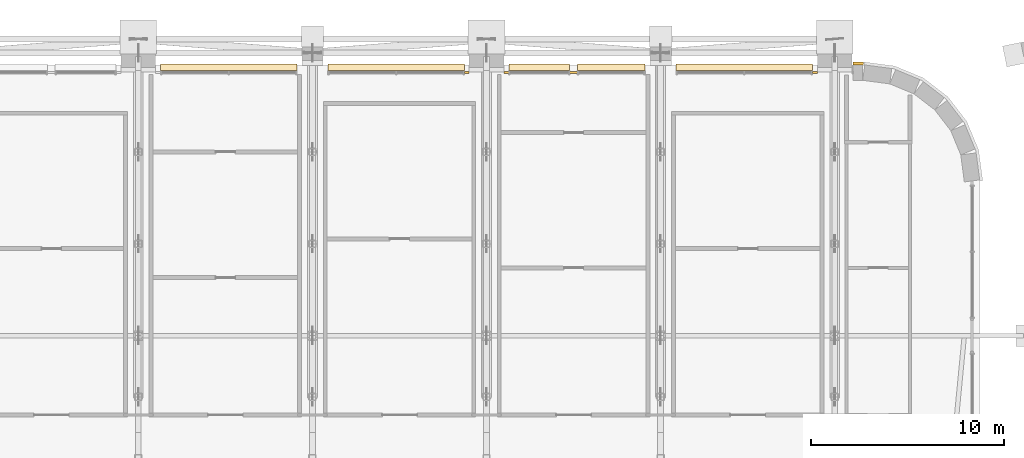
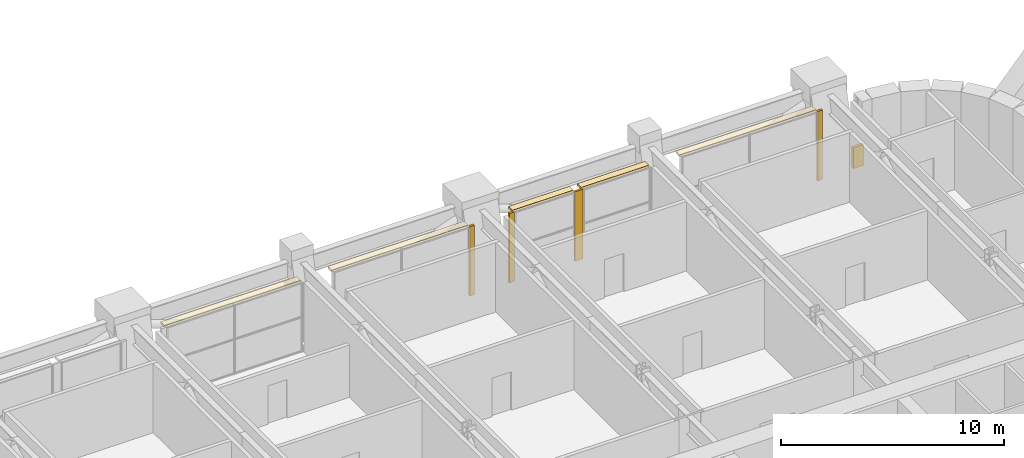
# One storey, part 24 of 27: 10 coverings.
"""IFC4 building model written with IfcOpenShell, lengths in metres."""

from ifc_helpers import new_model, si_unit, direction, frame, origin, origin_2d, place, context, subcontext, project, spatial, polyline, rectangle, outline, extrude, material, layer, layer_set, type_object, element, save


model = new_model("IFC4")

# Units and contexts
model_context = context("Model", 3, precision=1e-05, world=origin(), true_north=direction((0.0, 1.0)))
body_context = subcontext(model_context, "Body", "Model", "MODEL_VIEW")
ifc_project = project(units=[si_unit("LENGTHUNIT", "METRE"), si_unit("AREAUNIT", "SQUARE_METRE"), si_unit("VOLUMEUNIT", "CUBIC_METRE"), si_unit("PLANEANGLEUNIT", "RADIAN"), si_unit("MASSUNIT", "GRAM", prefix="KILO")], contexts=[model_context])

# Site, building, storey
site_placement = place(None, origin())
site = spatial("IfcSite", under=ifc_project, at=site_placement, CompositionType="ELEMENT")
building_placement = place(site_placement, origin())
building = spatial("IfcBuilding", under=site, at=building_placement, Name="Zellij Exchange Tower", CompositionType="ELEMENT")
storey_placement = place(building_placement, frame((0.0, 0.0, 104.5)))
storey = spatial("IfcBuildingStorey", under=building, at=storey_placement, Name="L22", CompositionType="ELEMENT", Elevation=104.5)

# Coverings
ifc_material_1 = material(Name="Limestone cladding", Category="masonry")
ifc_layer_1 = layer(ifc_material_1, 0.14990234375)
ifc_layer_set_1 = layer_set([ifc_layer_1], Name="Limestone cladding")
covering_type_1 = type_object("IfcCoveringType", Name="ENV-CV1 Stone spandrel band 150", PredefinedType="CLADDING", material=ifc_layer_set_1)
covering_1_placement = place(storey_placement, frame((0.0, 0.0, -0.35009765625)))
element("IfcCovering", 1, at=covering_1_placement, inside=storey, type_object=covering_type_1, Name="Stone spandrel band", PredefinedType="CLADDING", context=body_context, shape_type="SweptSolid", body=[
    extrude(outline(polyline([(28.473876953125, 18.5), (27.949951171875, 18.5), (27.949951171875, 18.64990234375), (28.483642578125, 18.64990234375), (28.473876953125, 18.5)])), origin(), (0.0, 0.0, 1.0), 1.150146484375),
])
ifc_layer_2 = layer(ifc_material_1, 0.1201171875)
ifc_layer_set_2 = layer_set([ifc_layer_2], Name="Limestone cladding")
covering_type_2 = type_object("IfcCoveringType", Name="ENV-CV18 Glazing closer 120", PredefinedType="CLADDING", material=ifc_layer_set_2)
covering_2_placement = place(storey_placement, frame((13.5, 18.10009765625, 0.0), z_axis=(0.0, 0.0, 1.0), x_axis=(-1.0, 0.0, 0.0)))
element("IfcCovering", 2, at=covering_2_placement, inside=storey, type_object=covering_type_2, Name="Glazing closer", PredefinedType="CLADDING", context=body_context, shape_type="SweptSolid", body=[
    extrude(rectangle(XDim=0.39990234375, YDim=0.1201171875, at=origin_2d()), origin(), (0.0, 0.0, 1.0), 3.800048828125),
])
for number, where, z_axis, x_axis, name in (
    (3, (25.97509765625, 18.10009765625, 0.0), (0.0, 0.0, 1.0), (1.0, 0.0, 0.0), "Glazing closer"),
    (4, (10.02490234375, 18.10009765625, 0.0), (0.0, 0.0, 1.0), (-1.0, 0.0, 0.0), "Glazing closer"),
    (5, (7.97509765625, 18.10009765625, 0.0), (0.0, 0.0, 1.0), (1.0, 0.0, 0.0), "Glazing closer"),
):
    element("IfcCovering", number, at=place(storey_placement, frame(where, z_axis=z_axis, x_axis=x_axis)), inside=storey, type_object=covering_type_2, Name=name, PredefinedType="CLADDING", context=body_context, shape_type="SweptSolid", body=[
        extrude(rectangle(XDim=0.25, YDim=0.1201171875, at=origin_2d()), origin(), (0.0, 0.0, 1.0), 3.800048828125),
    ])
ifc_material_2 = material(Name="Limestone sunshade", Category="masonry")
ifc_layer_3 = layer(ifc_material_2, 0.1201171875)
ifc_layer_set_3 = layer_set([ifc_layer_3], Name="Limestone sunshade")
covering_type_3 = type_object("IfcCoveringType", Name="ENV-SC2 Stone sunshade 120", PredefinedType="USERDEFINED", material=ifc_layer_set_3)
covering_3_placement = place(storey_placement, frame((0.0, 0.0, 3.679931640625)))
element("IfcCovering", 6, at=covering_3_placement, inside=storey, type_object=covering_type_3, Name="Stone sunshade", ObjectType="SUNSHADE", PredefinedType="USERDEFINED", context=body_context, shape_type="SweptSolid", body=[
    extrude(outline(polyline([(25.85009765625, 18.199951171875), (18.800048828125, 18.199951171875), (18.800048828125, 18.550048828125), (25.85009765625, 18.550048828125), (25.85009765625, 18.199951171875)])), origin(), (0.0, 0.0, 1.0), 0.1201171875),
])
covering_4_placement = place(storey_placement, frame((0.0, 0.0, 3.679931640625)))
element("IfcCovering", 7, at=covering_4_placement, inside=storey, type_object=covering_type_3, Name="Stone sunshade", ObjectType="SUNSHADE", PredefinedType="USERDEFINED", context=body_context, shape_type="SweptSolid", body=[
    extrude(outline(polyline([(17.199951171875, 18.199951171875), (13.699951171875, 18.199951171875), (13.699951171875, 18.550048828125), (17.199951171875, 18.550048828125), (17.199951171875, 18.199951171875)])), origin(), (0.0, 0.0, 1.0), 0.1201171875),
])
covering_5_placement = place(storey_placement, frame((0.0, 0.0, 3.679931640625)))
element("IfcCovering", 8, at=covering_5_placement, inside=storey, type_object=covering_type_3, Name="Stone sunshade", ObjectType="SUNSHADE", PredefinedType="USERDEFINED", context=body_context, shape_type="SweptSolid", body=[
    extrude(outline(polyline([(13.300048828125, 18.199951171875), (10.14990234375, 18.199951171875), (10.14990234375, 18.550048828125), (13.300048828125, 18.550048828125), (13.300048828125, 18.199951171875)])), origin(), (0.0, 0.0, 1.0), 0.1201171875),
])
covering_6_placement = place(storey_placement, frame((0.0, 0.0, 3.679931640625)))
element("IfcCovering", 9, at=covering_6_placement, inside=storey, type_object=covering_type_3, Name="Stone sunshade", ObjectType="SUNSHADE", PredefinedType="USERDEFINED", context=body_context, shape_type="SweptSolid", body=[
    extrude(outline(polyline([(7.85009765625, 18.199951171875), (0.800048828125, 18.199951171875), (0.800048828125, 18.550048828125), (7.85009765625, 18.550048828125), (7.85009765625, 18.199951171875)])), origin(), (0.0, 0.0, 1.0), 0.1201171875),
])
covering_7_placement = place(storey_placement, frame((0.0, 0.0, 3.679931640625)))
element("IfcCovering", 10, at=covering_7_placement, inside=storey, type_object=covering_type_3, Name="Stone sunshade", ObjectType="SUNSHADE", PredefinedType="USERDEFINED", context=body_context, shape_type="SweptSolid", body=[
    extrude(outline(polyline([(-0.800048828125, 18.199951171875), (-7.85009765625, 18.199951171875), (-7.85009765625, 18.550048828125), (-0.800048828125, 18.550048828125), (-0.800048828125, 18.199951171875)])), origin(), (0.0, 0.0, 1.0), 0.1201171875),
])

save(model, "model.ifc")
